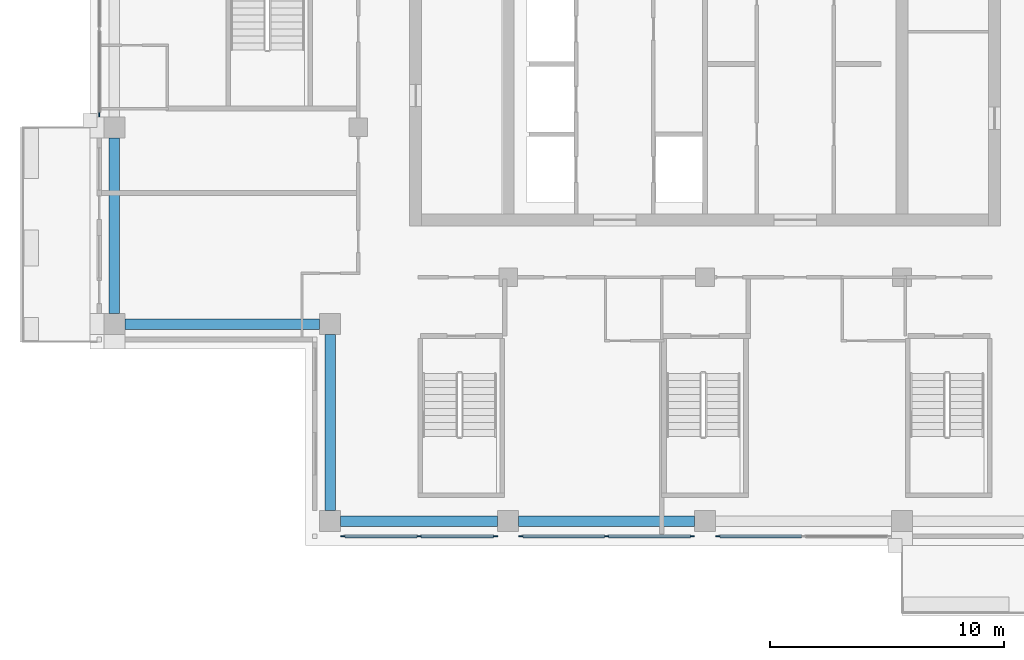
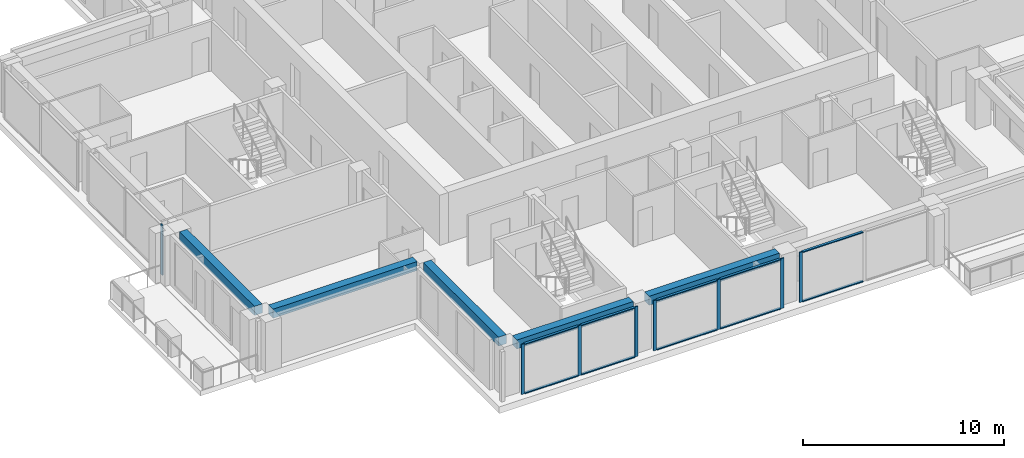
# One storey, part 2 of 18: 18 members, 5 beams, 4 elements without a shape of their own.
"""IFC4 building model written with IfcOpenShell, lengths in metres."""

from ifc_helpers import new_model, si_unit, direction, frame, origin, origin_2d, place, context, subcontext, project, spatial, rectangle, extrude, material, material_profile, profile_set, type_object, element, aggregate, save


model = new_model("IFC4")

# Units and contexts
model_context = context("Model", 3, precision=1e-05, world=origin(), true_north=direction((0.0, 1.0)))
body_context = subcontext(model_context, "Body", "Model", "MODEL_VIEW")
ifc_project = project(units=[si_unit("LENGTHUNIT", "METRE"), si_unit("AREAUNIT", "SQUARE_METRE"), si_unit("VOLUMEUNIT", "CUBIC_METRE"), si_unit("PLANEANGLEUNIT", "RADIAN"), si_unit("MASSUNIT", "GRAM", prefix="KILO")], contexts=[model_context])

# Site, building, storey
site_placement = place(None, origin())
site = spatial("IfcSite", under=ifc_project, at=site_placement, CompositionType="ELEMENT")
building_placement = place(site_placement, origin())
building = spatial("IfcBuilding", under=site, at=building_placement, Name="Vermilion Ogive Tower", CompositionType="ELEMENT")
storey_placement = place(building_placement, frame((0.0, 0.0, 230.35009765625)))
storey = spatial("IfcBuildingStorey", under=building, at=storey_placement, Name="L60", CompositionType="ELEMENT", Elevation=230.35009765625)

# Curtain wall, members
ifc_material_1 = material(Name="Low-iron laminated glazing in aluminium frame", Category="aluminium")
curtain_wall_type = type_object("IfcCurtainWallType", Name="Curtain wall CW7", PredefinedType="NOTDEFINED", material=ifc_material_1)
curtain_wall_1_placement = place(storey_placement, origin())
curtain_wall_1 = element("IfcCurtainWall", 1, at=curtain_wall_1_placement, inside=storey, type_object=curtain_wall_type, Name="Glazed skin S1", PredefinedType="NOTDEFINED")
ifc_material_2 = material(Name="Aluminium mullion", Category="aluminium")
ifc_material_profile_1 = material_profile(ifc_material_2, rectangle(XDim=0.06005859375, YDim=0.179931640625, at=origin_2d()), Name="AL 60x180")
ifc_profile_set_1 = profile_set([ifc_material_profile_1], Name="Aluminium mullion")
member_type_1 = type_object("IfcMemberType", Name="CW7 mullion 60x180", PredefinedType="MULLION", material=ifc_profile_set_1)
member_1_placement = place(storey_placement, frame((-15.4599609375, -21.64990234375, 0.0), z_axis=(0.0, 0.0, 1.0), x_axis=(0.0, 1.0, 0.0)))
member_1 = element("IfcMember", 2, at=member_1_placement, type_object=member_type_1, Name="CW7-S1 mullion 1", PredefinedType="MULLION", context=body_context, shape_type="SweptSolid", body=[
    extrude(rectangle(XDim=0.06005859375, YDim=0.179931640625, at=origin_2d()), origin(), (0.0, 0.0, 1.0), 3.0498046875),
])
member_2_placement = place(storey_placement, frame((-12.199951171875, -21.64990234375, 0.0), z_axis=(0.0, 0.0, 1.0), x_axis=(0.0, 1.0, 0.0)))
member_2 = element("IfcMember", 3, at=member_2_placement, type_object=member_type_1, Name="CW7-S1 mullion 2", PredefinedType="MULLION", context=body_context, shape_type="SweptSolid", body=[
    extrude(rectangle(XDim=0.06005859375, YDim=0.179931640625, at=origin_2d()), origin(), (0.0, 0.0, 1.0), 3.0498046875),
])
member_3_placement = place(storey_placement, frame((-8.93994140625, -21.64990234375, 0.0), z_axis=(0.0, 0.0, 1.0), x_axis=(0.0, 1.0, 0.0)))
member_3 = element("IfcMember", 4, at=member_3_placement, type_object=member_type_1, Name="CW7-S1 mullion 3", PredefinedType="MULLION", context=body_context, shape_type="SweptSolid", body=[
    extrude(rectangle(XDim=0.06005859375, YDim=0.179931640625, at=origin_2d()), origin(), (0.0, 0.0, 1.0), 3.0498046875),
])

curtain_wall_2_placement = place(storey_placement, origin())
curtain_wall_2 = element("IfcCurtainWall", 5, at=curtain_wall_2_placement, inside=storey, type_object=curtain_wall_type, Name="Glazed skin S2", PredefinedType="NOTDEFINED")
member_4_placement = place(storey_placement, frame((-7.860107421875, -21.64990234375, 0.0), z_axis=(0.0, 0.0, 1.0), x_axis=(0.0, 1.0, 0.0)))
member_4 = element("IfcMember", 6, at=member_4_placement, type_object=member_type_1, Name="CW7-S2 mullion 1", PredefinedType="MULLION", context=body_context, shape_type="SweptSolid", body=[
    extrude(rectangle(XDim=0.06005859375, YDim=0.179931640625, at=origin_2d()), origin(), (0.0, 0.0, 1.0), 3.0498046875),
])
member_5_placement = place(storey_placement, frame((-4.199951171875, -21.64990234375, 0.0), z_axis=(0.0, 0.0, 1.0), x_axis=(0.0, 1.0, 0.0)))
member_5 = element("IfcMember", 7, at=member_5_placement, type_object=member_type_1, Name="CW7-S2 mullion 2", PredefinedType="MULLION", context=body_context, shape_type="SweptSolid", body=[
    extrude(rectangle(XDim=0.06005859375, YDim=0.179931640625, at=origin_2d()), origin(), (0.0, 0.0, 1.0), 3.0498046875),
])
member_6_placement = place(storey_placement, frame((-0.5400390625, -21.64990234375, 0.0), z_axis=(0.0, 0.0, 1.0), x_axis=(0.0, 1.0, 0.0)))
member_6 = element("IfcMember", 8, at=member_6_placement, type_object=member_type_1, Name="CW7-S2 mullion 3", PredefinedType="MULLION", context=body_context, shape_type="SweptSolid", body=[
    extrude(rectangle(XDim=0.06005859375, YDim=0.179931640625, at=origin_2d()), origin(), (0.0, 0.0, 1.0), 3.0498046875),
])

# Curtain wall, member
curtain_wall_3_placement = place(storey_placement, origin())
curtain_wall_3 = element("IfcCurtainWall", 9, at=curtain_wall_3_placement, inside=storey, type_object=curtain_wall_type, Name="Glazed skin S3", PredefinedType="NOTDEFINED")
member_7_placement = place(storey_placement, frame((0.5400390625, -21.64990234375, 0.0), z_axis=(0.0, 0.0, 1.0), x_axis=(0.0, 1.0, 0.0)))
member_7 = element("IfcMember", 10, at=member_7_placement, type_object=member_type_1, Name="CW7-S3 mullion 1", PredefinedType="MULLION", context=body_context, shape_type="SweptSolid", body=[
    extrude(rectangle(XDim=0.06005859375, YDim=0.179931640625, at=origin_2d()), origin(), (0.0, 0.0, 1.0), 3.0498046875),
])

curtain_wall_4_placement = place(storey_placement, origin())
curtain_wall_4 = element("IfcCurtainWall", 11, at=curtain_wall_4_placement, inside=storey, type_object=curtain_wall_type, Name="Glazed skin W2", PredefinedType="NOTDEFINED")
member_8_placement = place(storey_placement, frame((-25.85009765625, -3.659912109375, 0.0), z_axis=(0.0, 0.0, 1.0), x_axis=(1.0, 0.0, 0.0)))
member_8 = element("IfcMember", 12, at=member_8_placement, type_object=member_type_1, Name="CW7-W2 mullion 3", PredefinedType="MULLION", context=body_context, shape_type="SweptSolid", body=[
    extrude(rectangle(XDim=0.06005859375, YDim=0.179931640625, at=origin_2d()), origin(), (0.0, 0.0, 1.0), 3.0498046875),
])
aggregate(curtain_wall_4, [member_8])

# Member
ifc_material_3 = material(Name="Aluminium transom", Category="aluminium")
ifc_material_profile_2 = material_profile(ifc_material_3, rectangle(XDim=0.139892578125, YDim=0.06005859375, at=origin_2d()), Name="AL 60x140")
ifc_profile_set_2 = profile_set([ifc_material_profile_2], Name="Aluminium transom")
member_type_2 = type_object("IfcMemberType", Name="CW7 transom 60x140", PredefinedType="USERDEFINED", material=ifc_profile_set_2)
member_9_placement = place(storey_placement, frame((-15.3701171875, -21.64990234375, 0.02978515625), z_axis=(1.0, 0.0, 0.0), x_axis=(0.0, 1.0, 0.0)))
member_9 = element("IfcMember", 13, at=member_9_placement, type_object=member_type_2, Name="CW7-S1 transom 1.1", ObjectType="TRANSOM", PredefinedType="USERDEFINED", context=body_context, shape_type="SweptSolid", body=[
    extrude(rectangle(XDim=0.139892578125, YDim=0.06005859375, at=origin_2d()), origin(), (0.0, 0.0, 1.0), 3.080078125),
])

member_10_placement = place(storey_placement, frame((-15.3701171875, -21.64990234375, 3.02001953125), z_axis=(1.0, 0.0, 0.0), x_axis=(0.0, 1.0, 0.0)))
member_10 = element("IfcMember", 14, at=member_10_placement, type_object=member_type_2, Name="CW7-S1 transom 1.2", ObjectType="TRANSOM", PredefinedType="USERDEFINED", context=body_context, shape_type="SweptSolid", body=[
    extrude(rectangle(XDim=0.139892578125, YDim=0.06005859375, at=origin_2d()), origin(), (0.0, 0.0, 1.0), 3.080078125),
])

member_11_placement = place(storey_placement, frame((-12.110107421875, -21.64990234375, 0.02978515625), z_axis=(1.0, 0.0, 0.0), x_axis=(0.0, 1.0, 0.0)))
member_11 = element("IfcMember", 15, at=member_11_placement, type_object=member_type_2, Name="CW7-S1 transom 2.1", ObjectType="TRANSOM", PredefinedType="USERDEFINED", context=body_context, shape_type="SweptSolid", body=[
    extrude(rectangle(XDim=0.139892578125, YDim=0.06005859375, at=origin_2d()), origin(), (0.0, 0.0, 1.0), 3.080078125),
])

member_12_placement = place(storey_placement, frame((-12.110107421875, -21.64990234375, 3.02001953125), z_axis=(1.0, 0.0, 0.0), x_axis=(0.0, 1.0, 0.0)))
member_12 = element("IfcMember", 16, at=member_12_placement, type_object=member_type_2, Name="CW7-S1 transom 2.2", ObjectType="TRANSOM", PredefinedType="USERDEFINED", context=body_context, shape_type="SweptSolid", body=[
    extrude(rectangle(XDim=0.139892578125, YDim=0.06005859375, at=origin_2d()), origin(), (0.0, 0.0, 1.0), 3.080078125),
])

aggregate(curtain_wall_1, [member_1, member_2, member_3, member_9, member_10, member_11, member_12])

member_13_placement = place(storey_placement, frame((-7.77001953125, -21.64990234375, 0.02978515625), z_axis=(1.0, 0.0, 0.0), x_axis=(0.0, 1.0, 0.0)))
member_13 = element("IfcMember", 17, at=member_13_placement, type_object=member_type_2, Name="CW7-S2 transom 1.1", ObjectType="TRANSOM", PredefinedType="USERDEFINED", context=body_context, shape_type="SweptSolid", body=[
    extrude(rectangle(XDim=0.139892578125, YDim=0.06005859375, at=origin_2d()), origin(), (0.0, 0.0, 1.0), 3.47998046875),
])

member_14_placement = place(storey_placement, frame((-7.77001953125, -21.64990234375, 3.02001953125), z_axis=(1.0, 0.0, 0.0), x_axis=(0.0, 1.0, 0.0)))
member_14 = element("IfcMember", 18, at=member_14_placement, type_object=member_type_2, Name="CW7-S2 transom 1.2", ObjectType="TRANSOM", PredefinedType="USERDEFINED", context=body_context, shape_type="SweptSolid", body=[
    extrude(rectangle(XDim=0.139892578125, YDim=0.06005859375, at=origin_2d()), origin(), (0.0, 0.0, 1.0), 3.47998046875),
])

member_15_placement = place(storey_placement, frame((-4.110107421875, -21.64990234375, 0.02978515625), z_axis=(1.0, 0.0, 0.0), x_axis=(0.0, 1.0, 0.0)))
member_15 = element("IfcMember", 19, at=member_15_placement, type_object=member_type_2, Name="CW7-S2 transom 2.1", ObjectType="TRANSOM", PredefinedType="USERDEFINED", context=body_context, shape_type="SweptSolid", body=[
    extrude(rectangle(XDim=0.139892578125, YDim=0.06005859375, at=origin_2d()), origin(), (0.0, 0.0, 1.0), 3.480224609375),
])

member_16_placement = place(storey_placement, frame((-4.110107421875, -21.64990234375, 3.02001953125), z_axis=(1.0, 0.0, 0.0), x_axis=(0.0, 1.0, 0.0)))
member_16 = element("IfcMember", 20, at=member_16_placement, type_object=member_type_2, Name="CW7-S2 transom 2.2", ObjectType="TRANSOM", PredefinedType="USERDEFINED", context=body_context, shape_type="SweptSolid", body=[
    extrude(rectangle(XDim=0.139892578125, YDim=0.06005859375, at=origin_2d()), origin(), (0.0, 0.0, 1.0), 3.480224609375),
])

aggregate(curtain_wall_2, [member_4, member_5, member_6, member_13, member_14, member_15, member_16])

member_17_placement = place(storey_placement, frame((0.6298828125, -21.64990234375, 0.02978515625), z_axis=(1.0, 0.0, 0.0), x_axis=(0.0, 1.0, 0.0)))
member_17 = element("IfcMember", 21, at=member_17_placement, type_object=member_type_2, Name="CW7-S3 transom 1.1", ObjectType="TRANSOM", PredefinedType="USERDEFINED", context=body_context, shape_type="SweptSolid", body=[
    extrude(rectangle(XDim=0.139892578125, YDim=0.06005859375, at=origin_2d()), origin(), (0.0, 0.0, 1.0), 3.480224609375),
])

member_18_placement = place(storey_placement, frame((0.6298828125, -21.64990234375, 3.02001953125), z_axis=(1.0, 0.0, 0.0), x_axis=(0.0, 1.0, 0.0)))
member_18 = element("IfcMember", 22, at=member_18_placement, type_object=member_type_2, Name="CW7-S3 transom 1.2", ObjectType="TRANSOM", PredefinedType="USERDEFINED", context=body_context, shape_type="SweptSolid", body=[
    extrude(rectangle(XDim=0.139892578125, YDim=0.06005859375, at=origin_2d()), origin(), (0.0, 0.0, 1.0), 3.480224609375),
])

aggregate(curtain_wall_3, [member_7, member_17, member_18])

# Beams
ifc_material_4 = material(Name="Concrete B45", Category="concrete")
ifc_material_profile_3 = material_profile(ifc_material_4, rectangle(XDim=0.449951171875, YDim=0.550048828125, at=origin_2d()), Name="450 x 550")
ifc_profile_set_3 = profile_set([ifc_material_profile_3], Name="Concrete B45")
beam_type = type_object("IfcBeamType", Name="Edge beam 450 x 550 B45", PredefinedType="BEAM", material=ifc_profile_set_3)
beam_1_placement = place(storey_placement, frame((-15.550048828125, -21.0, 2.77490234375), z_axis=(1.0, 0.0, 0.0), x_axis=(0.0, 1.0, 0.0)))
element("IfcBeam", 23, at=beam_1_placement, inside=storey, type_object=beam_type, Name="L60-EB-1", PredefinedType="BEAM", context=body_context, shape_type="SweptSolid", body=[
    extrude(rectangle(XDim=0.449951171875, YDim=0.550048828125, at=origin_2d()), origin(), (0.0, 0.0, 1.0), 6.699951171875),
])
for number, where, z_axis, x_axis, name in (
    (24, (-7.949951171875, -21.0, 2.77490234375), (1.0, 0.0, 0.0), (0.0, 1.0, 0.0), "L60-EB-2"),
    (25, (-25.199951171875, -4.64990234375, 2.77490234375), (0.0, -1.0, 0.0), (1.0, 0.0, 0.0), "L60-EB-16"),
):
    element("IfcBeam", number, at=place(storey_placement, frame(where, z_axis=z_axis, x_axis=x_axis)), inside=storey, type_object=beam_type, Name=name, PredefinedType="BEAM", context=body_context, shape_type="SweptSolid", body=[
        extrude(rectangle(XDim=0.449951171875, YDim=0.550048828125, at=origin_2d()), origin(), (0.0, 0.0, 1.0), 7.5),
    ])
beam_2_placement = place(storey_placement, frame((-24.75, -12.60009765625, 2.77490234375), z_axis=(1.0, 0.0, 0.0), x_axis=(0.0, 1.0, 0.0)))
element("IfcBeam", 26, at=beam_2_placement, inside=storey, type_object=beam_type, Name="L60-EB-17", PredefinedType="BEAM", context=body_context, shape_type="SweptSolid", body=[
    extrude(rectangle(XDim=0.449951171875, YDim=0.550048828125, at=origin_2d()), origin(), (0.0, 0.0, 1.0), 8.300048828125),
])
beam_3_placement = place(storey_placement, frame((-16.0, -13.050048828125, 2.77490234375), z_axis=(0.0, -1.0, 0.0), x_axis=(1.0, 0.0, 0.0)))
element("IfcBeam", 27, at=beam_3_placement, inside=storey, type_object=beam_type, Name="L60-EB-18", PredefinedType="BEAM", context=body_context, shape_type="SweptSolid", body=[
    extrude(rectangle(XDim=0.449951171875, YDim=0.550048828125, at=origin_2d()), origin(), (0.0, 0.0, 1.0), 7.5),
])

save(model, "model.ifc")
